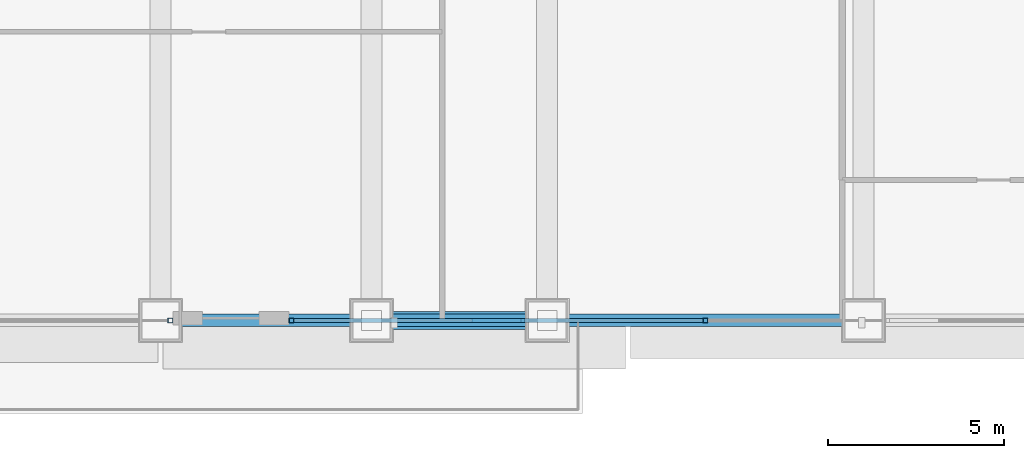
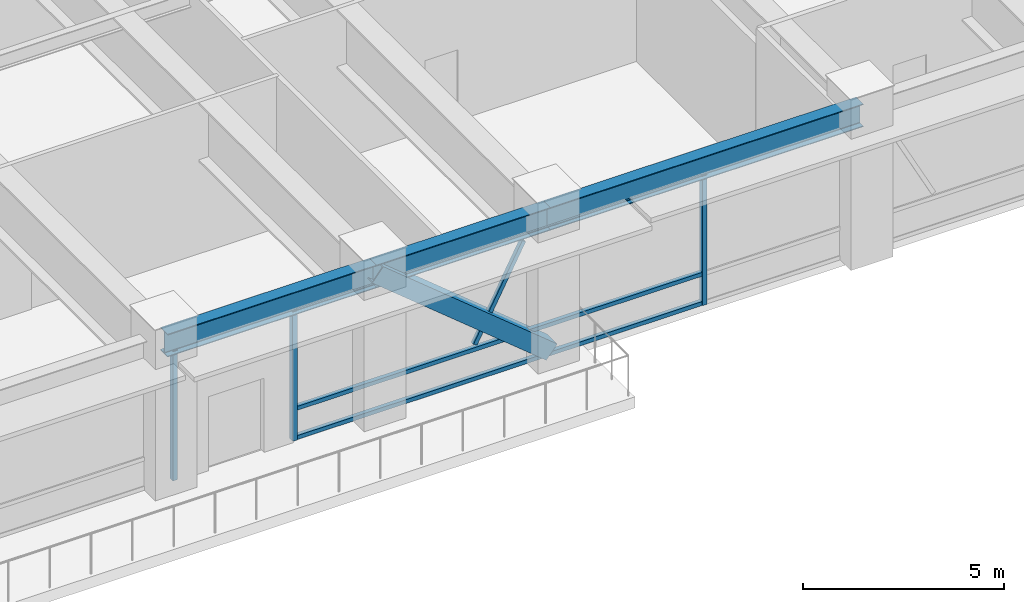
# One storey, part 6 of 34: 8 members, 3 beams, 2 elements without a shape of their own.
"""IFC4 building model written with IfcOpenShell, lengths in metres."""

from ifc_helpers import new_model, si_unit, direction, frame, origin, origin_2d, place, context, subcontext, project, spatial, hollow_rectangle, i_section, extrude, source, transform, mapped, material, material_profile, profile_set, type_object, element, aggregate, save


model = new_model("IFC4")

# Units and contexts
model_context = context("Model", 3, precision=1e-05, world=origin(), true_north=direction((0.0, 1.0)))
body_context = subcontext(model_context, "Body", "Model", "MODEL_VIEW")
ifc_project = project(units=[si_unit("LENGTHUNIT", "METRE"), si_unit("AREAUNIT", "SQUARE_METRE"), si_unit("VOLUMEUNIT", "CUBIC_METRE"), si_unit("PLANEANGLEUNIT", "RADIAN"), si_unit("MASSUNIT", "GRAM", prefix="KILO")], contexts=[model_context])

# Site, building, storey
site_placement = place(None, origin())
site = spatial("IfcSite", under=ifc_project, at=site_placement, CompositionType="ELEMENT")
building_placement = place(site_placement, origin())
building = spatial("IfcBuilding", under=site, at=building_placement, Name="Khorayat Bourse Tower", CompositionType="ELEMENT")
storey_placement = place(building_placement, frame((0.0, 0.0, 144.699951171875)))
storey = spatial("IfcBuildingStorey", under=building, at=storey_placement, Name="L33", CompositionType="ELEMENT", Elevation=144.699951171875)

# Beams
ifc_material_1 = material(Name="Steel ASTM A992 Grade 50", Category="steel")
ifc_material_profile_1 = material_profile(ifc_material_1, i_section(OverallWidth=0.35498046875, OverallDepth=0.695068359375, WebThickness=0.015380859375, FlangeThickness=0.02490234375, FilletRadius=0.01806640625, at=origin_2d()), Name="W690X217")
ifc_profile_set_1 = profile_set([ifc_material_profile_1], Name="Steel ASTM A992 Grade 50")
beam_type = type_object("IfcBeamType", Name="BM-SPAN-690", PredefinedType="SPANDREL", material=ifc_profile_set_1)
shared_shape_1 = source(origin(), body_context, "Body", "SweptSolid", [
    extrude(i_section(OverallWidth=0.35498046875, OverallDepth=0.695068359375, WebThickness=0.015380859375, FlangeThickness=0.02490234375, FilletRadius=0.01806640625, at=origin_2d()), origin(), (0.0, 0.0, 1.0), 9.0),
])
beam_1_placement = place(storey_placement, frame((11.0, -32.0, 4.25244140625), z_axis=(1.0, 0.0, 0.0), x_axis=(0.0, 1.0, 0.0)))
element("IfcBeam", 1, at=beam_1_placement, inside=storey, type_object=beam_type, Name="L33 BM-SPAN-690 BM-L33-SPN-030", PredefinedType="SPANDREL", context=body_context, shape_type="MappedRepresentation", body=[
    mapped(shared_shape_1, transform((0.0, 0.0, 0.0), scale=1.0)),
])
shared_shape_2 = source(origin(), body_context, "Body", "SweptSolid", [
    extrude(i_section(OverallWidth=0.35498046875, OverallDepth=0.695068359375, WebThickness=0.015380859375, FlangeThickness=0.02490234375, FilletRadius=0.01806640625, at=origin_2d()), origin(), (0.0, 0.0, 1.0), 5.0),
])
beam_2_placement = place(storey_placement, frame((6.0, -32.0, 4.25244140625), z_axis=(1.0, 0.0, 0.0), x_axis=(0.0, 1.0, 0.0)))
element("IfcBeam", 2, at=beam_2_placement, inside=storey, type_object=beam_type, Name="L33 BM-SPAN-690 BM-L33-SPN-029", PredefinedType="SPANDREL", context=body_context, shape_type="MappedRepresentation", body=[
    mapped(shared_shape_2, transform((0.0, 0.0, 0.0), scale=1.0)),
])
shared_shape_3 = source(origin(), body_context, "Body", "SweptSolid", [
    extrude(i_section(OverallWidth=0.35498046875, OverallDepth=0.695068359375, WebThickness=0.015380859375, FlangeThickness=0.02490234375, FilletRadius=0.01806640625, at=origin_2d()), origin(), (0.0, 0.0, 1.0), 6.0),
])
beam_3_placement = place(storey_placement, frame((0.0, -32.0, 4.25244140625), z_axis=(1.0, 0.0, 0.0), x_axis=(0.0, 1.0, 0.0)))
element("IfcBeam", 3, at=beam_3_placement, inside=storey, type_object=beam_type, Name="L33 BM-SPAN-690 BM-L33-SPN-028", PredefinedType="SPANDREL", context=body_context, shape_type="MappedRepresentation", body=[
    mapped(shared_shape_3, transform((0.0, 0.0, 0.0), scale=1.0)),
])

# Member
ifc_material_2 = material(Name="Steel EN 10025-4 S460M", Category="steel")
ifc_material_profile_2 = material_profile(ifc_material_2, hollow_rectangle(XDim=0.5, YDim=0.5, WallThickness=0.028076171875, at=origin_2d()), Name="HSS 500x500x28")
ifc_profile_set_2 = profile_set([ifc_material_profile_2], Name="Steel EN 10025-4 S460M")
member_type_1 = type_object("IfcMemberType", Name="MBR-TUBE-500", PredefinedType="BRACE", material=ifc_profile_set_2)
shared_shape_4 = source(origin(), body_context, "Body", "SweptSolid", [
    extrude(hollow_rectangle(XDim=0.5, YDim=0.5, WallThickness=0.028076171875, at=origin_2d()), origin(), (0.0, 0.0, 1.0), 6.466064453125),
])
member_1_placement = place(storey_placement, frame((6.0, -32.0, 4.35009765625), z_axis=(0.773260385368, 0.0, -0.634088618744), x_axis=(0.0, 1.0, 0.0)))
element("IfcMember", 4, at=member_1_placement, inside=storey, type_object=member_type_1, Name="L33 Perimeter Tube Brace 02", PredefinedType="BRACE", context=body_context, shape_type="MappedRepresentation", body=[
    mapped(shared_shape_4, transform((0.0, 0.0, 0.0), scale=1.0)),
])

# Curtain wall, member
ifc_material_3 = material(Name="Aluminium EN AW-6063 T6", Category="aluminium")
curtain_wall_type = type_object("IfcCurtainWallType", Name="CW-SYS-05", PredefinedType="NOTDEFINED", material=ifc_material_3)
curtain_wall_1_placement = place(storey_placement, origin())
curtain_wall_1 = element("IfcCurtainWall", 5, at=curtain_wall_1_placement, inside=storey, type_object=curtain_wall_type, Name="L33 Curtain Wall CW-L33-S1", PredefinedType="NOTDEFINED")
ifc_material_profile_3 = material_profile(ifc_material_3, hollow_rectangle(XDim=0.139892578125, YDim=0.139892578125, WallThickness=0.006103515625, at=origin_2d()), Name="ALU 140x140x6")
ifc_profile_set_3 = profile_set([ifc_material_profile_3], Name="Aluminium EN AW-6063 T6")
member_type_2 = type_object("IfcMemberType", Name="CWM-VERT-140", PredefinedType="MULLION", material=ifc_profile_set_3)
shared_shape_5 = source(origin(), body_context, "Body", "SweptSolid", [
    extrude(hollow_rectangle(XDim=0.139892578125, YDim=0.139892578125, WallThickness=0.006103515625, at=origin_2d()), origin(), (0.0, 0.0, 1.0), 3.949951171875),
])
member_2_placement = place(storey_placement, frame((0.280029296875, -32.0, 0.0), z_axis=(0.0, 0.0, 1.0), x_axis=(0.0, 1.0, 0.0)))
member_2 = element("IfcMember", 6, at=member_2_placement, type_object=member_type_2, Name="CW-L33-S1 Vertical Mullion 3", PredefinedType="MULLION", context=body_context, shape_type="MappedRepresentation", body=[
    mapped(shared_shape_5, transform((0.0, 0.0, 0.0), scale=1.0)),
])
aggregate(curtain_wall_1, [member_2])

# Curtain wall, members
curtain_wall_2_placement = place(storey_placement, origin())
curtain_wall_2 = element("IfcCurtainWall", 7, at=curtain_wall_2_placement, inside=storey, type_object=curtain_wall_type, Name="L33 Curtain Wall CW-L33-S2", PredefinedType="NOTDEFINED")
member_3_placement = place(storey_placement, frame((3.719970703125, -32.0, 0.0), z_axis=(0.0, 0.0, 1.0), x_axis=(0.0, 1.0, 0.0)))
member_3 = element("IfcMember", 8, at=member_3_placement, type_object=member_type_2, Name="CW-L33-S2 Vertical Mullion 1", PredefinedType="MULLION", context=body_context, shape_type="MappedRepresentation", body=[
    mapped(shared_shape_5, transform((0.0, 0.0, 0.0), scale=1.0)),
])
member_4_placement = place(storey_placement, frame((15.5, -32.0, 0.0), z_axis=(0.0, 0.0, 1.0), x_axis=(0.0, 1.0, 0.0)))
member_4 = element("IfcMember", 9, at=member_4_placement, type_object=member_type_2, Name="CW-L33-S2 Vertical Mullion 2", PredefinedType="MULLION", context=body_context, shape_type="MappedRepresentation", body=[
    mapped(shared_shape_5, transform((0.0, 0.0, 0.0), scale=1.0)),
])
ifc_material_profile_4 = material_profile(ifc_material_3, hollow_rectangle(XDim=0.1201171875, YDim=0.1201171875, WallThickness=0.0048828125, at=origin_2d()), Name="ALU 120x120x5")
ifc_profile_set_4 = profile_set([ifc_material_profile_4], Name="Aluminium EN AW-6063 T6")
member_type_3 = type_object("IfcMemberType", Name="CWM-DIAG-120", PredefinedType="MULLION", material=ifc_profile_set_4)
shared_shape_6 = source(origin(), body_context, "Body", "SweptSolid", [
    extrude(hollow_rectangle(XDim=0.1201171875, YDim=0.1201171875, WallThickness=0.0048828125, at=origin_2d()), origin(), (0.0, 0.0, 1.0), 3.005859375),
])
member_5_placement = place(storey_placement, frame((8.909912109375, -32.0, 1.090087890625), z_axis=(0.465796644007, 0.0, 0.884891793629), x_axis=(0.0, 1.0, 0.0)))
member_5 = element("IfcMember", 10, at=member_5_placement, type_object=member_type_3, Name="CW-L33-S2 Faceted Diagonal Mullion 1", PredefinedType="MULLION", context=body_context, shape_type="MappedRepresentation", body=[
    mapped(shared_shape_6, transform((0.0, 0.0, 0.0), scale=1.0)),
])
ifc_material_profile_5 = material_profile(ifc_material_3, hollow_rectangle(XDim=0.1201171875, YDim=0.1201171875, WallThickness=0.0048828125, at=origin_2d()), Name="ALU 120x120x5")
ifc_profile_set_5 = profile_set([ifc_material_profile_5], Name="Aluminium EN AW-6063 T6")
member_type_4 = type_object("IfcMemberType", Name="CWT-HORZ-120", PredefinedType="USERDEFINED", material=ifc_profile_set_5)
shared_shape_7 = source(origin(), body_context, "Body", "SweptSolid", [
    extrude(hollow_rectangle(XDim=0.1201171875, YDim=0.1201171875, WallThickness=0.0048828125, at=origin_2d()), origin(), (0.0, 0.0, 1.0), 11.639892578125),
])
member_6_placement = place(storey_placement, frame((3.7900390625, -32.0, 0.06005859375), z_axis=(1.0, 0.0, 0.0), x_axis=(0.0, 1.0, 0.0)))
member_6 = element("IfcMember", 11, at=member_6_placement, type_object=member_type_4, Name="CW-L33-S2 Horizontal Transom 1-1", ObjectType="TRANSOM", PredefinedType="USERDEFINED", context=body_context, shape_type="MappedRepresentation", body=[
    mapped(shared_shape_7, transform((0.0, 0.0, 0.0), scale=1.0)),
])
member_7_placement = place(storey_placement, frame((3.7900390625, -32.0, 0.949951171875), z_axis=(1.0, 0.0, 0.0), x_axis=(0.0, 1.0, 0.0)))
member_7 = element("IfcMember", 12, at=member_7_placement, type_object=member_type_4, Name="CW-L33-S2 Horizontal Transom 1-2", ObjectType="TRANSOM", PredefinedType="USERDEFINED", context=body_context, shape_type="MappedRepresentation", body=[
    mapped(shared_shape_7, transform((0.0, 0.0, 0.0), scale=1.0)),
])
member_8_placement = place(storey_placement, frame((3.7900390625, -32.0, 3.89013671875), z_axis=(1.0, 0.0, 0.0), x_axis=(0.0, 1.0, 0.0)))
member_8 = element("IfcMember", 13, at=member_8_placement, type_object=member_type_4, Name="CW-L33-S2 Horizontal Transom 1-3", ObjectType="TRANSOM", PredefinedType="USERDEFINED", context=body_context, shape_type="MappedRepresentation", body=[
    mapped(shared_shape_7, transform((0.0, 0.0, 0.0), scale=1.0)),
])
aggregate(curtain_wall_2, [member_3, member_4, member_6, member_7, member_8, member_5])

save(model, "model.ifc")
